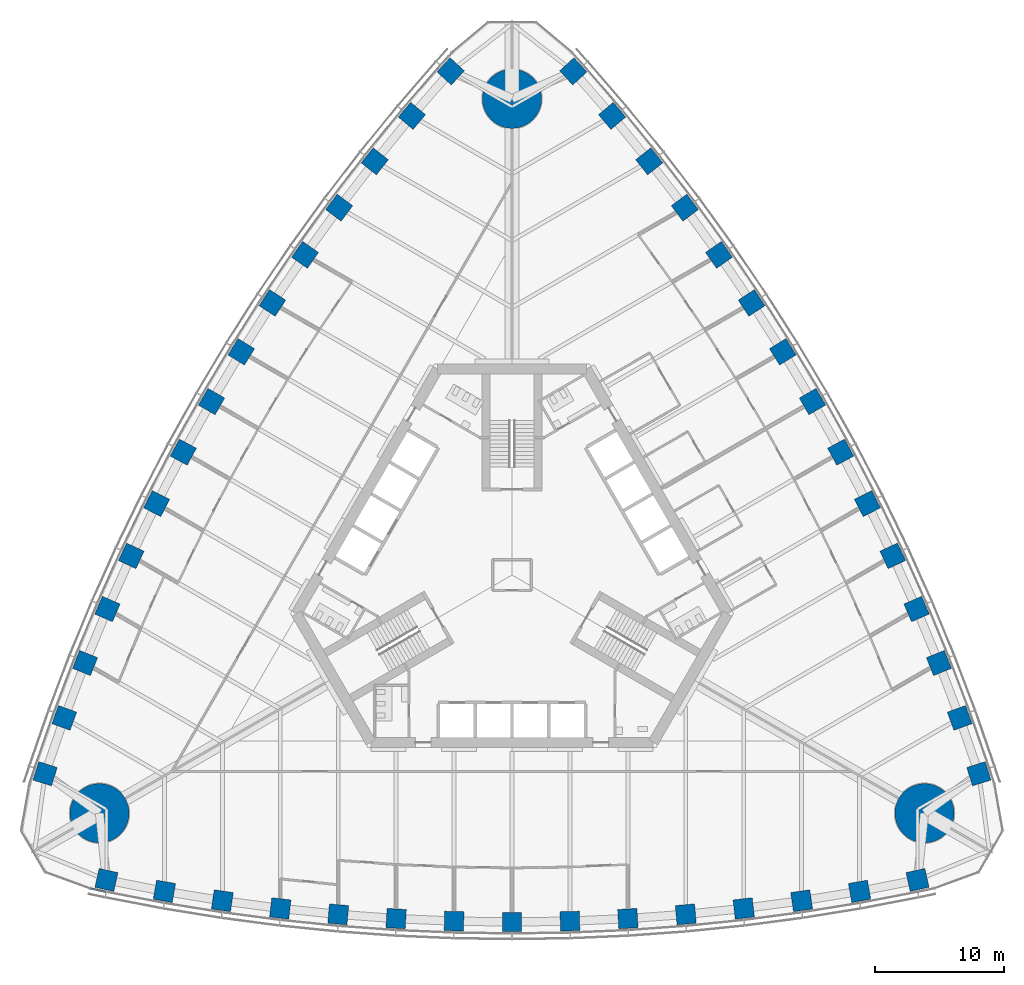
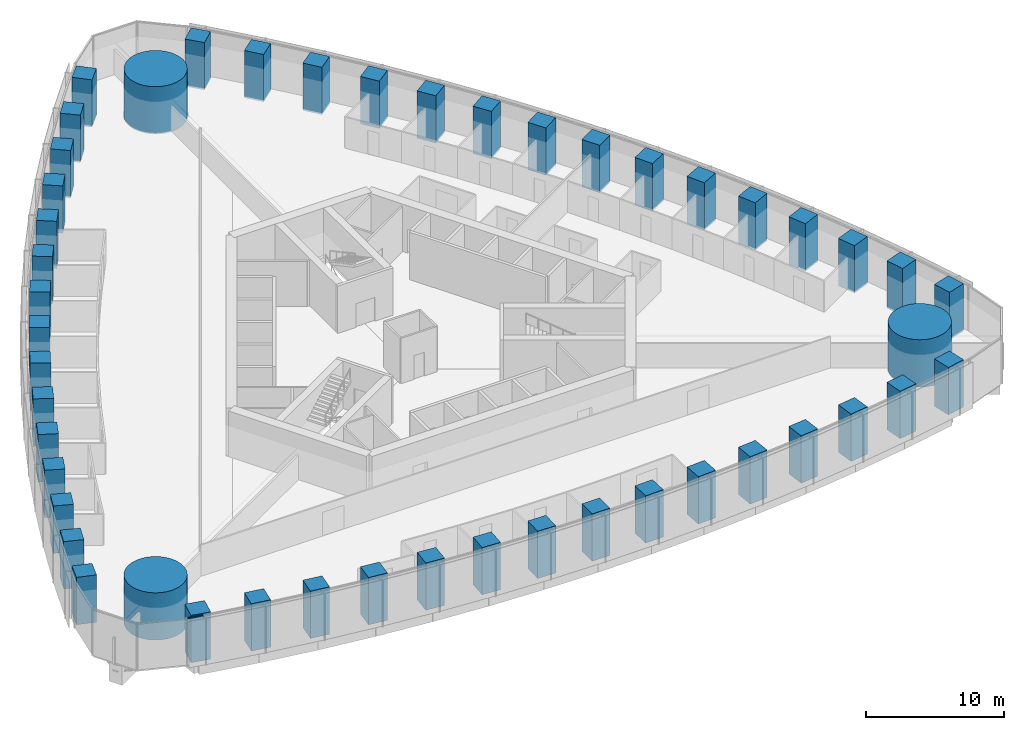
# One storey, part 1 of 18: 48 columns, 1 member, 1 element without a shape of its own.
"""IFC4 building model written with IfcOpenShell, lengths in metres."""

from ifc_helpers import new_model, si_unit, direction, frame, origin, origin_2d, place, context, subcontext, project, spatial, rectangle, circle, extrude, material, material_profile, profile_set, type_object, element, aggregate, save


model = new_model("IFC4")

# Units and contexts
model_context = context("Model", 3, precision=1e-05, world=origin(), true_north=direction((0.0, 1.0)))
body_context = subcontext(model_context, "Body", "Model", "MODEL_VIEW")
ifc_project = project(units=[si_unit("LENGTHUNIT", "METRE"), si_unit("AREAUNIT", "SQUARE_METRE"), si_unit("VOLUMEUNIT", "CUBIC_METRE"), si_unit("PLANEANGLEUNIT", "RADIAN"), si_unit("MASSUNIT", "GRAM", prefix="KILO")], contexts=[model_context])

# Site, building, storey
site_placement = place(None, origin())
site = spatial("IfcSite", under=ifc_project, at=site_placement, CompositionType="ELEMENT")
building_placement = place(site_placement, origin())
building = spatial("IfcBuilding", under=site, at=building_placement, Name="Trefoil Bronze Tower", CompositionType="ELEMENT")
storey_placement = place(building_placement, frame((0.0, 0.0, 54.300048828125)))
storey = spatial("IfcBuildingStorey", under=building, at=storey_placement, Name="L12", CompositionType="ELEMENT", Elevation=54.300048828125)

# Columns
ifc_material_1 = material(Name="Concrete B80", Category="concrete")
ifc_material_profile_1 = material_profile(ifc_material_1, circle(Radius=2.300048828125, at=origin_2d()), Name="RC D4600")
ifc_profile_set_1 = profile_set([ifc_material_profile_1], Name="Concrete B80")
column_type_1 = type_object("IfcColumnType", Name="Mega column RC D4600", PredefinedType="COLUMN", material=ifc_profile_set_1)
for number, where, z_axis, x_axis, name in (
    (1, (32.04296875, -18.5, 0.0), (0.0, 0.0, 1.0), (1.0, 0.0, 0.0), "Mega column K1 L12"),
    (2, (0.0, 37.0, 0.0), (0.0, 0.0, 1.0), (1.0, 0.0, 0.0), "Mega column K2 L12"),
    (3, (-32.04296875, -18.5, 0.0), (0.0, 0.0, 1.0), (1.0, 0.0, 0.0), "Mega column K3 L12"),
):
    element("IfcColumn", number, at=place(storey_placement, frame(where, z_axis=z_axis, x_axis=x_axis)), inside=storey, type_object=column_type_1, Name=name, PredefinedType="COLUMN", context=body_context, shape_type="SweptSolid", body=[
        extrude(circle(Radius=2.300048828125, at=origin_2d()), origin(), (0.0, 0.0, 1.0), 4.199951171875),
    ])
ifc_material_2 = material(Name="Concrete B80", Category="concrete")
ifc_material_profile_2 = material_profile(ifc_material_2, rectangle(XDim=1.5, YDim=1.5, at=origin_2d()), Name="RC 1500x1500")
ifc_profile_set_2 = profile_set([ifc_material_profile_2], Name="Concrete B80")
column_type_2 = type_object("IfcColumnType", Name="Tube column RC 1500x1500", PredefinedType="COLUMN", material=ifc_profile_set_2)
for number, where, z_axis, x_axis, name in (
    (4, (-31.5, -23.684814453125, 0.0), (0.0, 0.0, 1.0), (0.976229647342, -0.216738726697, 0.0), "Tube column F1/-7 L12"),
    (5, (-27.0, -24.56787109375, 0.0), (0.0, 0.0, 1.0), (0.984722470468, -0.174131146426, 0.0), "Tube column F1/-6 L12"),
    (6, (-22.5, -25.29931640625, 0.0), (0.0, 0.0, 1.0), (0.989415676546, -0.145108990094, 0.0), "Tube column F1/-5 L12"),
    (7, (-18.0, -25.895263671875, 0.0), (0.0, 0.0, 1.0), (0.993239048989, -0.116086999973, 0.0), "Tube column F1/-4 L12"),
    (8, (-13.5, -26.35693359375, 0.0), (0.0, 0.0, 1.0), (0.996202620701, -0.087065139456, 0.0), "Tube column F1/-3 L12"),
    (9, (-9.0, -26.68603515625, 0.0), (0.0, 0.0, 1.0), (0.998314062162, -0.058043374207, 0.0), "Tube column F1/-2 L12"),
    (10, (-4.5, -26.883056640625, 0.0), (0.0, 0.0, 1.0), (0.999578782577, -0.029021671584, 0.0), "Tube column F1/-1 L12"),
    (11, (0.0, -26.94873046875, 0.0), (0.0, 0.0, 1.0), (1.0, 0.0, 0.0), "Tube column F1/+0 L12"),
    (12, (4.5, -26.883056640625, 0.0), (0.0, 0.0, 1.0), (0.999578782577, 0.029021671584, 0.0), "Tube column F1/+1 L12"),
    (13, (9.0, -26.68603515625, 0.0), (0.0, 0.0, 1.0), (0.998314062162, 0.058043374207, 0.0), "Tube column F1/+2 L12"),
    (14, (13.5, -26.35693359375, 0.0), (0.0, 0.0, 1.0), (0.996202620701, 0.087065139456, 0.0), "Tube column F1/+3 L12"),
    (15, (18.0, -25.895263671875, 0.0), (0.0, 0.0, 1.0), (0.993239048989, 0.116086999973, 0.0), "Tube column F1/+4 L12"),
    (16, (22.5, -25.29931640625, 0.0), (0.0, 0.0, 1.0), (0.989415676546, 0.145108990094, 0.0), "Tube column F1/+5 L12"),
    (17, (27.0, -24.56787109375, 0.0), (0.0, 0.0, 1.0), (0.984722470468, 0.174131146426, 0.0), "Tube column F1/+6 L12"),
    (18, (31.5, -23.684814453125, 0.0), (0.0, 0.0, 1.0), (0.976229647342, 0.216738726697, 0.0), "Tube column F1/+7 L12"),
    (19, (36.26171875, -15.4375, 0.0), (0.0, 0.0, 1.0), (-0.300413580368, 0.953809037874, 0.0), "Tube column F2/-7 L12"),
    (20, (34.7763671875, -11.0986328125, 0.0), (0.0, 0.0, 1.0), (-0.341559238839, 0.939860248316, 0.0), "Tube column F2/-6 L12"),
    (21, (33.159912109375, -6.8359375, 0.0), (0.0, 0.0, 1.0), (-0.369039766534, 0.929413605838, 0.0), "Tube column F2/-5 L12"),
    (22, (31.42578125, -2.640869140625, 0.0), (0.0, 0.0, 1.0), (-0.396085233469, 0.918213748442, 0.0), "Tube column F2/-4 L12"),
    (23, (29.575927734375, 1.487060546875, 0.0), (0.0, 0.0, 1.0), (-0.422700687798, 0.906269346572, 0.0), "Tube column F2/-3 L12"),
    (24, (27.61083984375, 5.548828125, 0.0), (0.0, 0.0, 1.0), (-0.448889994497, 0.893587025891, 0.0), "Tube column F2/-2 L12"),
    (25, (25.531494140625, 9.54443359375, 0.0), (0.0, 0.0, 1.0), (-0.474655886437, 0.880171454588, 0.0), "Tube column F2/-1 L12"),
    (26, (23.33837890625, 13.474365234375, 0.0), (0.0, 0.0, 1.0), (-0.5, 0.866025403784, 0.0), "Tube column F2/+0 L12"),
    (27, (21.031494140625, 17.338623046875, 0.0), (0.0, 0.0, 1.0), (-0.524922896141, 0.851149783004, 0.0), "Tube column F2/+1 L12"),
    (28, (18.61083984375, 21.13720703125, 0.0), (0.0, 0.0, 1.0), (-0.549424067665, 0.835543651684, 0.0), "Tube column F2/+2 L12"),
    (29, (16.075927734375, 24.869873046875, 0.0), (0.0, 0.0, 1.0), (-0.573501932903, 0.819204207116, 0.0), "Tube column F2/+3 L12"),
    (30, (13.42578125, 28.5361328125, 0.0), (0.0, 0.0, 1.0), (-0.59715381552, 0.802126748469, 0.0), "Tube column F2/+4 L12"),
    (31, (10.659912109375, 32.13525390625, 0.0), (0.0, 0.0, 1.0), (-0.620375910011, 0.784304615744, 0.0), "Tube column F2/+5 L12"),
    (32, (7.7763671875, 35.666748046875, 0.0), (0.0, 0.0, 1.0), (-0.643163231629, 0.765729101889, 0.0), "Tube column F2/+6 L12"),
    (33, (4.76171875, 39.122314453125, 0.0), (0.0, 0.0, 1.0), (-0.675816066975, 0.737070311177, 0.0), "Tube column F2/+7 L12"),
    (34, (-4.76171875, 39.122314453125, 0.0), (0.0, 0.0, 1.0), (-0.675816066975, -0.737070311177, 0.0), "Tube column F3/-7 L12"),
    (35, (-7.7763671875, 35.666748046875, 0.0), (0.0, 0.0, 1.0), (-0.643163231629, -0.765729101889, 0.0), "Tube column F3/-6 L12"),
    (36, (-10.659912109375, 32.13525390625, 0.0), (0.0, 0.0, 1.0), (-0.620375910011, -0.784304615744, 0.0), "Tube column F3/-5 L12"),
    (37, (-13.42578125, 28.5361328125, 0.0), (0.0, 0.0, 1.0), (-0.59715381552, -0.802126748469, 0.0), "Tube column F3/-4 L12"),
    (38, (-16.075927734375, 24.869873046875, 0.0), (0.0, 0.0, 1.0), (-0.573501932903, -0.819204207116, 0.0), "Tube column F3/-3 L12"),
    (39, (-18.61083984375, 21.13720703125, 0.0), (0.0, 0.0, 1.0), (-0.549424067665, -0.835543651684, 0.0), "Tube column F3/-2 L12"),
    (40, (-21.031494140625, 17.338623046875, 0.0), (0.0, 0.0, 1.0), (-0.524922896141, -0.851149783004, 0.0), "Tube column F3/-1 L12"),
    (41, (-23.33837890625, 13.474365234375, 0.0), (0.0, 0.0, 1.0), (-0.5, -0.866025403784, 0.0), "Tube column F3/+0 L12"),
    (42, (-25.531494140625, 9.54443359375, 0.0), (0.0, 0.0, 1.0), (-0.474655886437, -0.880171454588, 0.0), "Tube column F3/+1 L12"),
    (43, (-27.61083984375, 5.548828125, 0.0), (0.0, 0.0, 1.0), (-0.448889994497, -0.893587025891, 0.0), "Tube column F3/+2 L12"),
    (44, (-29.575927734375, 1.487060546875, 0.0), (0.0, 0.0, 1.0), (-0.422700687798, -0.906269346572, 0.0), "Tube column F3/+3 L12"),
    (45, (-31.42578125, -2.640869140625, 0.0), (0.0, 0.0, 1.0), (-0.396085233469, -0.918213748442, 0.0), "Tube column F3/+4 L12"),
    (46, (-33.159912109375, -6.8359375, 0.0), (0.0, 0.0, 1.0), (-0.369039766534, -0.929413605838, 0.0), "Tube column F3/+5 L12"),
    (47, (-34.7763671875, -11.0986328125, 0.0), (0.0, 0.0, 1.0), (-0.341559238839, -0.939860248316, 0.0), "Tube column F3/+6 L12"),
    (48, (-36.26171875, -15.4375, 0.0), (0.0, 0.0, 1.0), (-0.300413580368, -0.953809037874, 0.0), "Tube column F3/+7 L12"),
):
    element("IfcColumn", number, at=place(storey_placement, frame(where, z_axis=z_axis, x_axis=x_axis)), inside=storey, type_object=column_type_2, Name=name, PredefinedType="COLUMN", context=body_context, shape_type="SweptSolid", body=[
        extrude(rectangle(XDim=1.5, YDim=1.5, at=origin_2d()), origin(), (0.0, 0.0, 1.0), 4.199951171875),
    ])

# Curtain wall, member
ifc_material_3 = material(Name="Tinted solar-control glass", Category="glass")
curtain_wall_type = type_object("IfcCurtainWallType", Name="Bronze office curtain wall", PredefinedType="USERDEFINED", material=ifc_material_3)
curtain_wall_placement = place(storey_placement, origin())
curtain_wall = element("IfcCurtainWall", 49, at=curtain_wall_placement, inside=storey, type_object=curtain_wall_type, Name="CW-A L12 F1", ObjectType="CURTAIN WALL", PredefinedType="USERDEFINED")
ifc_material_4 = material(Name="Bronze-finish aluminium", Category="aluminium")
ifc_material_profile_3 = material_profile(ifc_material_4, rectangle(XDim=0.1201171875, YDim=0.10009765625, at=origin_2d()), Name="CW-A transom")
ifc_profile_set_3 = profile_set([ifc_material_profile_3], Name="Bronze-finish aluminium")
member_type = type_object("IfcMemberType", Name="Bronze office curtain wall transom", PredefinedType="USERDEFINED", material=ifc_profile_set_3)
member_placement = place(storey_placement, frame((-32.743896484375, -24.354736328125, 4.1298828125), z_axis=(0.978266371807, -0.207352129942, 0.0), x_axis=(0.207352129942, 0.978266371807, 0.0)))
member = element("IfcMember", 50, at=member_placement, type_object=member_type, Name="CW-A L12 F1 transom 1", ObjectType="TRANSOM", PredefinedType="USERDEFINED", context=body_context, shape_type="SweptSolid", body=[
    extrude(rectangle(XDim=0.1201171875, YDim=0.10009765625, at=origin_2d()), origin(), (0.0, 0.0, 1.0), 1.21044921875),
])
aggregate(curtain_wall, [member])

save(model, "model.ifc")
